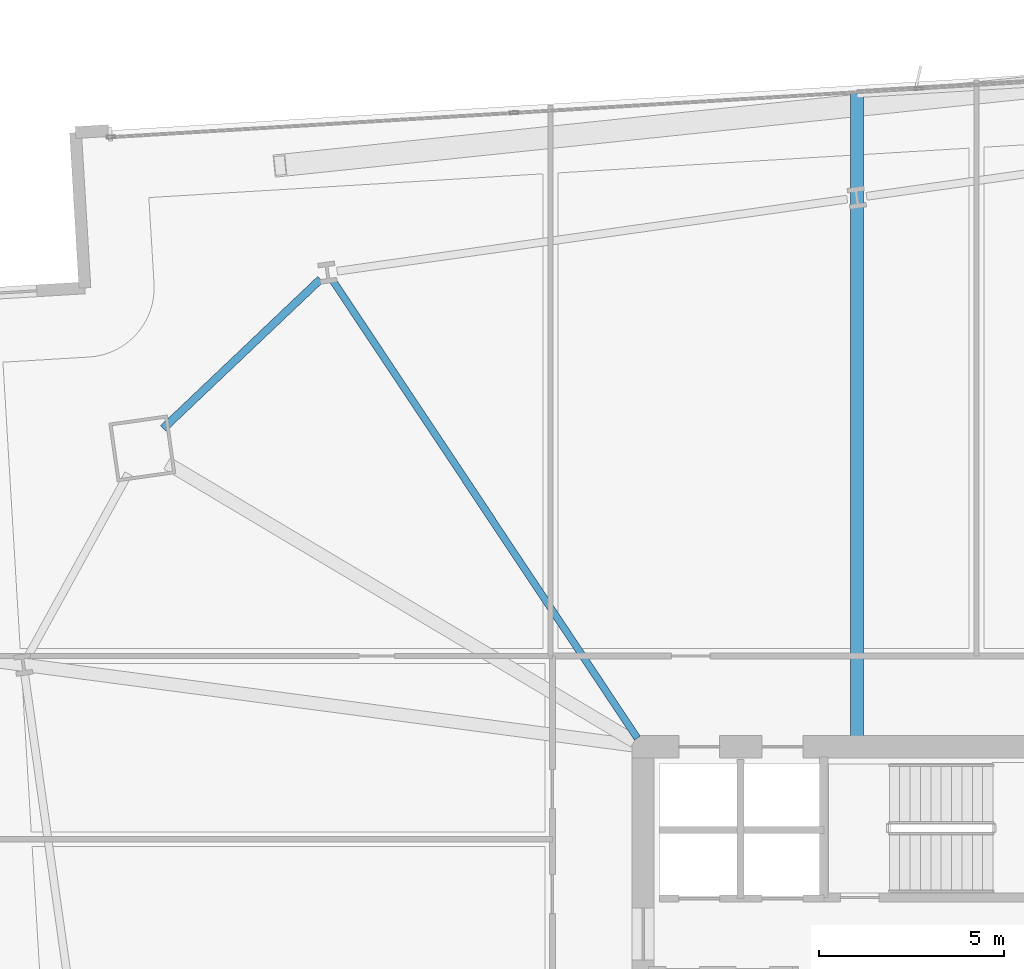
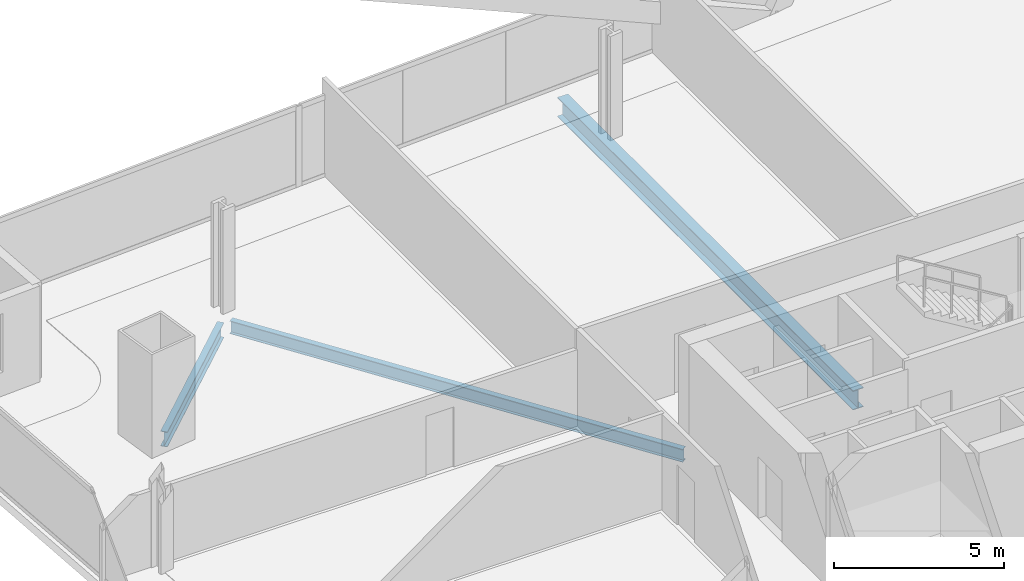
# One storey, part 17 of 34: 3 beams.
"""IFC4 building model written with IfcOpenShell, lengths in metres."""

from ifc_helpers import new_model, si_unit, direction, frame, origin, origin_2d, place, context, subcontext, project, spatial, i_section, extrude, material, material_profile, profile_set, type_object, element, save


model = new_model("IFC4")

# Units and contexts
model_context = context("Model", 3, precision=1e-05, world=origin(), true_north=direction((0.0, 1.0)))
body_context = subcontext(model_context, "Body", "Model", "MODEL_VIEW")
ifc_project = project(units=[si_unit("LENGTHUNIT", "METRE"), si_unit("AREAUNIT", "SQUARE_METRE"), si_unit("VOLUMEUNIT", "CUBIC_METRE"), si_unit("PLANEANGLEUNIT", "RADIAN"), si_unit("MASSUNIT", "GRAM", prefix="KILO")], contexts=[model_context])

# Site, building, storey
site_placement = place(None, origin())
site = spatial("IfcSite", under=ifc_project, at=site_placement, CompositionType="ELEMENT")
building_placement = place(site_placement, origin())
building = spatial("IfcBuilding", under=site, at=building_placement, Name="Haldenkirk Collegiate Tower", CompositionType="ELEMENT")
storey_placement = place(building_placement, frame((0.0, 0.0, 40.199951171875)))
storey = spatial("IfcBuildingStorey", under=building, at=storey_placement, Name="L08", CompositionType="ELEMENT", Elevation=40.199951171875)

# Beams
ifc_material = material(Name="Steel ASTM A992 Grade 50", Category="steel")
ifc_material_profile_1 = material_profile(ifc_material, i_section(OverallWidth=0.35498046875, OverallDepth=0.696044921875, WebThickness=0.015380859375, FlangeThickness=0.02490234375, at=origin_2d()), Name="W27X146")
ifc_profile_set_1 = profile_set([ifc_material_profile_1], Name="Steel ASTM A992 Grade 50")
beam_type_1 = type_object("IfcBeamType", Name="BM-GIRDER-W27X146", PredefinedType="BEAM", material=ifc_profile_set_1)
beam_1_placement = place(storey_placement, frame((32.772216796875, 51.632080078125, -0.657958984375), z_axis=(0.0, -1.0, 0.0), x_axis=(1.0, 0.0, 0.0)))
element("IfcBeam", 1, at=beam_1_placement, inside=storey, type_object=beam_type_1, Name="L08 primary floor girder 12", PredefinedType="BEAM", context=body_context, shape_type="SweptSolid", body=[
    extrude(i_section(OverallWidth=0.35498046875, OverallDepth=0.696044921875, WebThickness=0.015380859375, FlangeThickness=0.02490234375, at=origin_2d()), origin(), (0.0, 0.0, 1.0), 17.35205078125),
])
ifc_material_profile_2 = material_profile(ifc_material, i_section(OverallWidth=0.19189453125, OverallDepth=0.462890625, WebThickness=0.010498046875, FlangeThickness=0.017578125, at=origin_2d()), Name="W18X60")
ifc_profile_set_2 = profile_set([ifc_material_profile_2], Name="Steel ASTM A992 Grade 50")
beam_type_2 = type_object("IfcBeamType", Name="BM-JOIST-W18X60", PredefinedType="JOIST", material=ifc_profile_set_2)
beam_2_placement = place(storey_placement, frame((18.625, 46.5810546875, -0.54150390625), z_axis=(0.554130343162, -0.83242991464, 0.0), x_axis=(0.83242991464, 0.554130343162, 0.0)))
element("IfcBeam", 2, at=beam_2_placement, inside=storey, type_object=beam_type_2, Name="L08 composite floor joist 13", PredefinedType="JOIST", context=body_context, shape_type="SweptSolid", body=[
    extrude(i_section(OverallWidth=0.19189453125, OverallDepth=0.462890625, WebThickness=0.010498046875, FlangeThickness=0.017578125, at=origin_2d()), origin(), (0.0, 0.0, 1.0), 14.83349609375),
])
ifc_material_profile_3 = material_profile(ifc_material, i_section(OverallWidth=0.2119140625, OverallDepth=0.5439453125, WebThickness=0.01318359375, FlangeThickness=0.021240234375, at=origin_2d()), Name="W21X83")
ifc_profile_set_3 = profile_set([ifc_material_profile_3], Name="Steel ASTM A992 Grade 50")
beam_type_3 = type_object("IfcBeamType", Name="BM-SPANDREL-W21X83", PredefinedType="SPANDREL", material=ifc_profile_set_3)
beam_3_placement = place(storey_placement, frame((18.28662109375, 46.619140625, -0.58203125), z_axis=(-0.725132817178, -0.688609030911, 0.0), x_axis=(0.688609030911, -0.725132817178, 0.0)))
element("IfcBeam", 3, at=beam_3_placement, inside=storey, type_object=beam_type_3, Name="L08 perimeter spandrel beam 12", PredefinedType="SPANDREL", context=body_context, shape_type="SweptSolid", body=[
    extrude(i_section(OverallWidth=0.2119140625, OverallDepth=0.5439453125, WebThickness=0.01318359375, FlangeThickness=0.021240234375, at=origin_2d()), origin(), (0.0, 0.0, 1.0), 5.848876953125),
])

save(model, "model.ifc")
